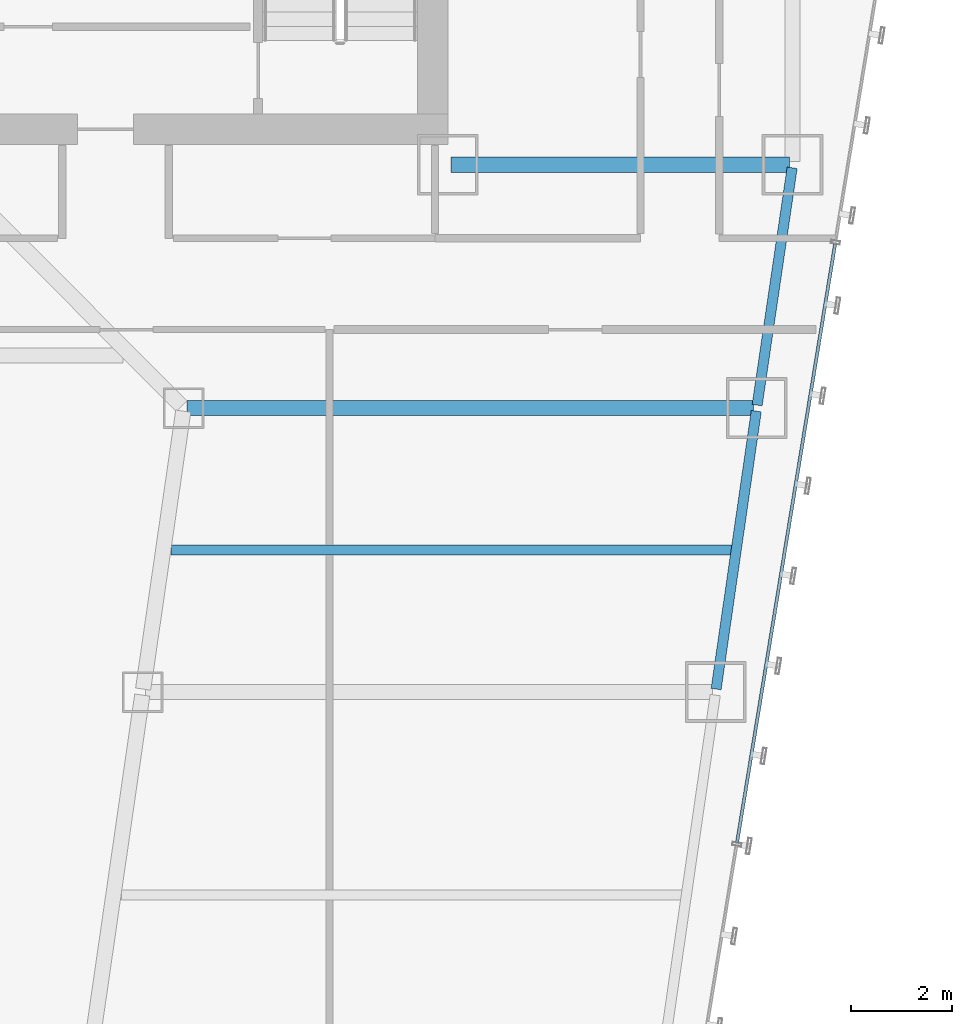
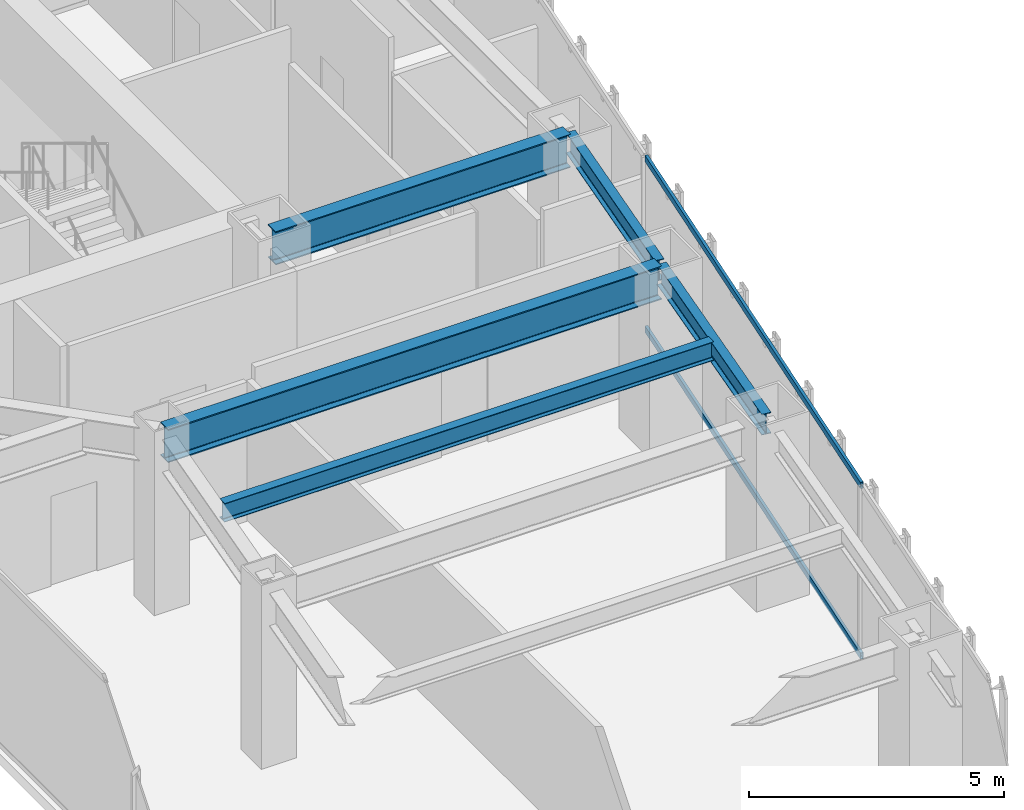
# One storey, part 30 of 47: 5 beams, 2 members, 1 element without a shape of its own.
"""IFC4 building model written with IfcOpenShell, lengths in metres."""

from ifc_helpers import new_model, si_unit, direction, frame, origin, origin_2d, place, context, subcontext, project, spatial, hollow_rectangle, i_section, extrude, material, material_profile, profile_set, type_object, element, aggregate, save


model = new_model("IFC4")

# Units and contexts
model_context = context("Model", 3, precision=1e-05, world=origin(), true_north=direction((0.0, 1.0)))
body_context = subcontext(model_context, "Body", "Model", "MODEL_VIEW")
ifc_project = project(units=[si_unit("LENGTHUNIT", "METRE"), si_unit("AREAUNIT", "SQUARE_METRE"), si_unit("VOLUMEUNIT", "CUBIC_METRE"), si_unit("PLANEANGLEUNIT", "RADIAN"), si_unit("MASSUNIT", "GRAM", prefix="KILO")], contexts=[model_context])

# Site, building, storey
site_placement = place(None, origin())
site = spatial("IfcSite", under=ifc_project, at=site_placement, CompositionType="ELEMENT")
building_placement = place(site_placement, origin())
building = spatial("IfcBuilding", under=site, at=building_placement, Name="Saevonmaru Cultural Tower", CompositionType="ELEMENT")
storey_placement = place(building_placement, frame((0.0, 0.0, 42.800048828125)))
storey = spatial("IfcBuildingStorey", under=building, at=storey_placement, Name="L08", CompositionType="ELEMENT", Elevation=42.800048828125)

# Beams
ifc_material_1 = material(Name="Steel SM420", Category="steel")
ifc_material_profile_1 = material_profile(ifc_material_1, i_section(OverallWidth=0.300048828125, OverallDepth=0.800048828125, WebThickness=0.013916015625, FlangeThickness=0.02587890625, FilletRadius=0.028076171875, at=origin_2d()), Name="H-800x300x14x26")
ifc_profile_set_1 = profile_set([ifc_material_profile_1], Name="Steel SM420")
beam_type_1 = type_object("IfcBeamType", Name="BM-G-H800", PredefinedType="BEAM", material=ifc_profile_set_1)
beam_1_placement = place(storey_placement, frame((46.4599609375, 42.39990234375, 3.75), z_axis=(1.0, 0.0, 0.0), x_axis=(0.0, 1.0, 0.0)))
element("IfcBeam", 1, at=beam_1_placement, inside=storey, type_object=beam_type_1, Name="L08 Core South Girder 5", PredefinedType="BEAM", context=body_context, shape_type="SweptSolid", body=[
    extrude(i_section(OverallWidth=0.300048828125, OverallDepth=0.800048828125, WebThickness=0.013916015625, FlangeThickness=0.02587890625, FilletRadius=0.028076171875, at=origin_2d()), origin(), (0.0, 0.0, 1.0), 6.679931640625),
])
beam_2_placement = place(storey_placement, frame((41.251953125, 37.60009765625, 3.75), z_axis=(1.0, 0.0, 0.0), x_axis=(0.0, 1.0, 0.0)))
element("IfcBeam", 2, at=beam_2_placement, inside=storey, type_object=beam_type_1, Name="L08 East Wing Transverse Girder 6", PredefinedType="BEAM", context=body_context, shape_type="SweptSolid", body=[
    extrude(i_section(OverallWidth=0.300048828125, OverallDepth=0.800048828125, WebThickness=0.013916015625, FlangeThickness=0.02587890625, FilletRadius=0.028076171875, at=origin_2d()), origin(), (0.0, 0.0, 1.0), 11.179931640625),
])
ifc_material_2 = material(Name="Steel SM355", Category="steel")
ifc_material_profile_2 = material_profile(ifc_material_2, i_section(OverallWidth=0.199951171875, OverallDepth=0.449951171875, WebThickness=0.009033203125, FlangeThickness=0.013916015625, FilletRadius=0.01806640625, at=origin_2d()), Name="H-450x200x9x14")
ifc_profile_set_2 = profile_set([ifc_material_profile_2], Name="Steel SM355")
beam_type_2 = type_object("IfcBeamType", Name="BM-J-H450", PredefinedType="JOIST", material=ifc_profile_set_2)
beam_3_placement = place(storey_placement, frame((40.945556640625, 34.800048828125, 3.925048828125), z_axis=(1.0, 0.0, 0.0), x_axis=(0.0, 1.0, 0.0)))
element("IfcBeam", 3, at=beam_3_placement, inside=storey, type_object=beam_type_2, Name="L08 East Wing Floor Joist 5", PredefinedType="JOIST", context=body_context, shape_type="SweptSolid", body=[
    extrude(i_section(OverallWidth=0.199951171875, OverallDepth=0.449951171875, WebThickness=0.009033203125, FlangeThickness=0.013916015625, FilletRadius=0.01806640625, at=origin_2d()), origin(), (0.0, 0.0, 1.0), 11.08203125),
])
ifc_material_profile_3 = material_profile(ifc_material_2, i_section(OverallWidth=0.199951171875, OverallDepth=0.5, WebThickness=0.010009765625, FlangeThickness=0.01611328125, FilletRadius=0.02001953125, at=origin_2d()), Name="H-500x200x10x16")
ifc_profile_set_3 = profile_set([ifc_material_profile_3], Name="Steel SM355")
beam_type_3 = type_object("IfcBeamType", Name="BM-SP-H500", PredefinedType="SPANDREL", material=ifc_profile_set_3)
beam_4_placement = place(storey_placement, frame((51.691650390625, 32.059326171875, 3.89990234375), z_axis=(0.142964121327, 0.989727871697, 0.0), x_axis=(-0.989727871697, 0.142964121327, 0.0)))
element("IfcBeam", 4, at=beam_4_placement, inside=storey, type_object=beam_type_3, Name="L08 East Splayed Spandrel 5", PredefinedType="SPANDREL", context=body_context, shape_type="SweptSolid", body=[
    extrude(i_section(OverallWidth=0.199951171875, OverallDepth=0.5, WebThickness=0.010009765625, FlangeThickness=0.01611328125, FilletRadius=0.02001953125, at=origin_2d()), origin(), (0.0, 0.0, 1.0), 5.5380859375),
])
beam_5_placement = place(storey_placement, frame((52.500732421875, 37.659423828125, 3.89990234375), z_axis=(0.145912860028, 0.989297446312, 0.0), x_axis=(-0.989297446312, 0.145912860028, 0.0)))
element("IfcBeam", 5, at=beam_5_placement, inside=storey, type_object=beam_type_3, Name="L08 East Splayed Spandrel 6", PredefinedType="SPANDREL", context=body_context, shape_type="SweptSolid", body=[
    extrude(i_section(OverallWidth=0.199951171875, OverallDepth=0.5, WebThickness=0.010009765625, FlangeThickness=0.01611328125, FilletRadius=0.02001953125, at=origin_2d()), origin(), (0.0, 0.0, 1.0), 4.731689453125),
])

# Curtain wall, members
ifc_material_3 = material(Name="Satin Bronze Anodised Aluminium", Category="aluminium")
curtain_wall_type = type_object("IfcCurtainWallType", Name="CW-TYP-A", PredefinedType="NOTDEFINED", material=ifc_material_3)
curtain_wall_placement = place(storey_placement, origin())
curtain_wall = element("IfcCurtainWall", 6, at=curtain_wall_placement, inside=storey, type_object=curtain_wall_type, Name="L08 Unitised Curtain Wall E8", PredefinedType="NOTDEFINED")
ifc_material_profile_4 = material_profile(ifc_material_3, hollow_rectangle(XDim=0.06494140625, YDim=0.14990234375, WallThickness=0.00390625, at=origin_2d()), Name="ALU-TRAN-150x65x4")
ifc_profile_set_4 = profile_set([ifc_material_profile_4], Name="Satin Bronze Anodised Aluminium")
member_type = type_object("IfcMemberType", Name="TR-CW-150x65", PredefinedType="USERDEFINED", material=ifc_profile_set_4)
member_1_placement = place(storey_placement, frame((52.105224609375, 29.031982421875, 0.032470703125), z_axis=(0.161701400727, 0.986839732177, 0.0), x_axis=(-0.986839732177, 0.161701400727, 0.0)))
member_1 = element("IfcMember", 7, at=member_1_placement, type_object=member_type, Name="CW-TW-L08-E8 transom 3.1", ObjectType="TRANSOM", PredefinedType="USERDEFINED", context=body_context, shape_type="SweptSolid", body=[
    extrude(hollow_rectangle(XDim=0.06494140625, YDim=0.14990234375, WallThickness=0.00390625, at=origin_2d()), origin(), (0.0, 0.0, 1.0), 11.9638671875),
])
member_2_placement = place(storey_placement, frame((52.105224609375, 29.031982421875, 4.117431640625), z_axis=(0.161701400727, 0.986839732177, 0.0), x_axis=(-0.986839732177, 0.161701400727, 0.0)))
member_2 = element("IfcMember", 8, at=member_2_placement, type_object=member_type, Name="CW-TW-L08-E8 transom 3.2", ObjectType="TRANSOM", PredefinedType="USERDEFINED", context=body_context, shape_type="SweptSolid", body=[
    extrude(hollow_rectangle(XDim=0.06494140625, YDim=0.14990234375, WallThickness=0.00390625, at=origin_2d()), origin(), (0.0, 0.0, 1.0), 11.9638671875),
])
aggregate(curtain_wall, [member_1, member_2])

save(model, "model.ifc")
